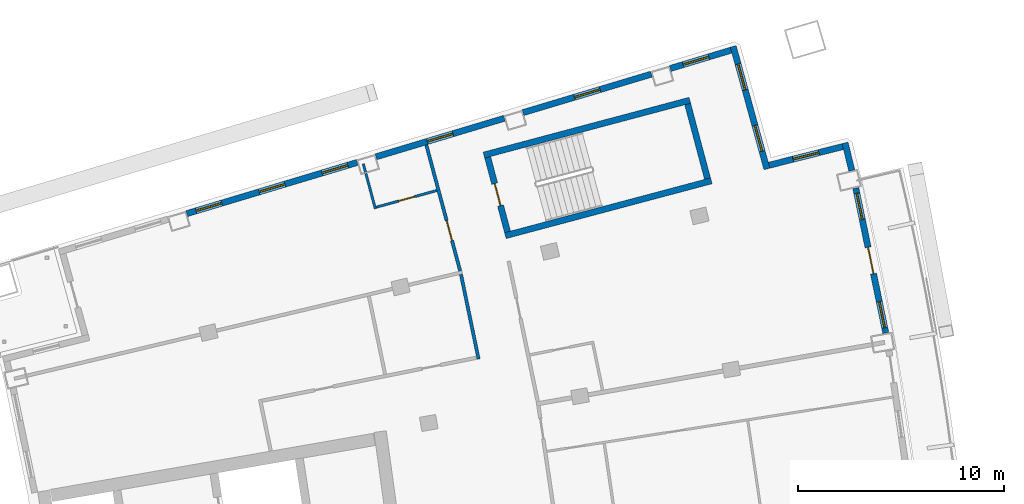
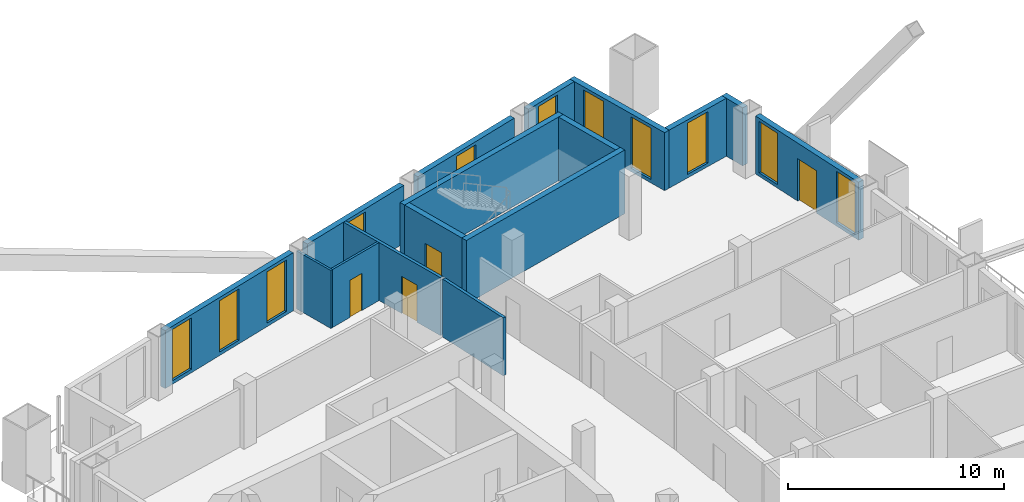
# One storey, part 15 of 19: 16 walls, 11 windows, 4 doors, 15 openings.
"""IFC4 building model written with IfcOpenShell, lengths in metres."""

from ifc_helpers import new_model, si_unit, direction, frame, frame_2d, origin, place, context, subcontext, project, spatial, rectangle, extrude, material, layer, layer_set, type_object, element, fill, save


model = new_model("IFC4")

# Units and contexts
model_context = context("Model", 3, precision=1e-05, world=origin(), true_north=direction((0.0, 1.0)))
body_context = subcontext(model_context, "Body", "Model", "MODEL_VIEW")
ifc_project = project(units=[si_unit("LENGTHUNIT", "METRE"), si_unit("AREAUNIT", "SQUARE_METRE"), si_unit("VOLUMEUNIT", "CUBIC_METRE"), si_unit("PLANEANGLEUNIT", "RADIAN"), si_unit("MASSUNIT", "GRAM", prefix="KILO")], contexts=[model_context])

# Site, building, storey
site_placement = place(None, origin())
site = spatial("IfcSite", under=ifc_project, at=site_placement, CompositionType="ELEMENT")
building_placement = place(site_placement, origin())
building = spatial("IfcBuilding", under=site, at=building_placement, Name="Alderwake Tower", CompositionType="ELEMENT")
storey_placement = place(building_placement, frame((0.0, 0.0, 200.0)))
storey = spatial("IfcBuildingStorey", under=building, at=storey_placement, Name="L49", CompositionType="ELEMENT", Elevation=200.0)

# Walls
ifc_material_1 = material(Name="Concrete C70/85", Category="concrete")
ifc_layer_1 = layer(ifc_material_1, 0.300048828125)
ifc_layer_set_1 = layer_set([ifc_layer_1], Name="Core wall stair enclosure 300 C70-85")
wall_type_1 = type_object("IfcWallType", Name="Core wall stair enclosure 300 C70-85", PredefinedType="SHEAR", material=ifc_layer_set_1)
for number, where, z_axis, x_axis, name in (
    (1, (36.71142578125, 94.182373046875, 0.0), (0.0, 0.0, 1.0), (0.966309214305, 0.257383958996, 0.0), "Core wall CW.082"),
    (2, (37.75390625, 90.268798828125, 0.0), (0.0, 0.0, 1.0), (0.966309214305, 0.257383958996, 0.0), "Core wall CW.084"),
):
    element("IfcWall", number, at=place(storey_placement, frame(where, z_axis=z_axis, x_axis=x_axis)), inside=storey, type_object=wall_type_1, Name=name, PredefinedType="SHEAR", context=body_context, shape_type="SweptSolid", body=[
        extrude(rectangle(XDim=10.360107421875, YDim=0.300048828125, at=frame_2d((5.18017578125, 0.0))), origin(), (0.0, 0.0, 1.0), 3.60009765625),
    ])

# Wall, opening, door
wall_1_placement = place(storey_placement, frame((37.8603515625, 90.452392578125, 0.0), z_axis=(0.0, 0.0, 1.0), x_axis=(-0.257411420208, 0.966301899381, 0.0)))
wall_1 = element("IfcWall", 3, at=wall_1_placement, inside=storey, type_object=wall_type_1, Name="Core wall CW.083", PredefinedType="SHEAR", context=body_context, shape_type="SweptSolid", body=[
    extrude(rectangle(XDim=3.750244140625, YDim=0.300048828125, at=frame_2d((1.875, 0.0))), origin(), (0.0, 0.0, 1.0), 3.60009765625),
])
opening_1_placement = place(wall_1_placement, frame((1.324951171875, 0.0, 0.0)))
opening_1 = element("IfcOpeningElement", 4, at=opening_1_placement, cuts=wall_1, Name="Opening C062", PredefinedType="OPENING", context=body_context, shape_type="SweptSolid", body=[
    extrude(rectangle(XDim=1.10009765625, YDim=2.10009765625, at=frame_2d((0.550048828125, 1.050048828125))), frame((0.0, 0.159912109375, 0.0), z_axis=(0.0, -1.0, 0.0), x_axis=(1.0, 0.0, 0.0)), (0.0, 0.0, 1.0), 0.320068359375),
])
ifc_material_2 = material(Name="Steel-framed fire door leaf", Category="steel")
door_type_1 = type_object("IfcDoorType", Name="Core stair door 1100 fire-rated", OperationType="SINGLE_SWING_LEFT", PredefinedType="DOOR", material=ifc_material_2)
door_1_placement = place(opening_1_placement, origin())
door_1 = element("IfcDoor", 5, at=door_1_placement, inside=storey, type_object=door_type_1, Name="Stair door", OperationType="SINGLE_SWING_RIGHT", OverallHeight=2.10009765625, OverallWidth=1.10009765625, PredefinedType="DOOR", context=body_context, shape_type="SweptSolid", body=[
    extrude(rectangle(XDim=1.10009765625, YDim=2.10009765625, at=frame_2d((0.550048828125, 1.050048828125))), frame((0.0, 0.02490234375, 0.0), z_axis=(0.0, -1.0, 0.0), x_axis=(1.0, 0.0, 0.0)), (0.0, 0.0, 1.0), 0.050048828125),
])
fill(opening_1, door_1)

# Wall
wall_2_placement = place(storey_placement, frame((47.581298828125, 93.041748046875, 0.0), z_axis=(0.0, 0.0, 1.0), x_axis=(-0.257366821694, 0.966313778796, 0.0)))
element("IfcWall", 6, at=wall_2_placement, inside=storey, type_object=wall_type_1, Name="Core wall CW.081", PredefinedType="SHEAR", context=body_context, shape_type="SweptSolid", body=[
    extrude(rectangle(XDim=3.749755859375, YDim=0.300048828125, at=frame_2d((1.875, 0.0))), origin(), (0.0, 0.0, 1.0), 3.60009765625),
])

# Wall, opening, door
ifc_material_3 = material(Name="Gypsum board on metal studs, rated")
ifc_layer_2 = layer(ifc_material_3, 0.159912109375)
ifc_layer_set_2 = layer_set([ifc_layer_2], Name="Corridor wall 160")
wall_type_2 = type_object("IfcWallType", Name="Corridor wall 160", PredefinedType="PARTITIONING", material=ifc_layer_set_2)
wall_3_placement = place(storey_placement, frame((35.55908203125, 88.54736328125, 0.0), z_axis=(0.0, 0.0, 1.0), x_axis=(-0.259486497004, 0.965746735885, 0.0)))
wall_3 = element("IfcWall", 7, at=wall_3_placement, inside=storey, type_object=wall_type_2, Name="WL/L49/W15", PredefinedType="PARTITIONING", context=body_context, shape_type="SweptSolid", body=[
    extrude(rectangle(XDim=6.346923828125, YDim=0.159912109375, at=frame_2d((3.17333984375, 0.0))), origin(), (0.0, 0.0, 1.0), 3.280029296875),
])
opening_2_placement = place(wall_3_placement, frame((1.5380859375, 0.0, 0.0)))
opening_2 = element("IfcOpeningElement", 8, at=opening_2_placement, cuts=wall_3, Name="Opening R14-U10.1", PredefinedType="OPENING", context=body_context, shape_type="SweptSolid", body=[
    extrude(rectangle(XDim=1.0, YDim=2.10009765625, at=frame_2d((0.5, 1.050048828125))), frame((0.0, 0.08984375, 0.0), z_axis=(0.0, -1.0, 0.0), x_axis=(1.0, 0.0, 0.0)), (0.0, 0.0, 1.0), 0.179931640625),
])
ifc_material_4 = material(Name="Solid timber leaf in steel frame", Category="steel")
door_type_2 = type_object("IfcDoorType", Name="Flat entrance door 1000 fire-rated", OperationType="SINGLE_SWING_LEFT", PredefinedType="DOOR", material=ifc_material_4)
door_2_placement = place(opening_2_placement, origin())
door_2 = element("IfcDoor", 9, at=door_2_placement, inside=storey, type_object=door_type_2, Name="DR/L49/U10.1", OperationType="SINGLE_SWING_LEFT", OverallHeight=2.10009765625, OverallWidth=1.0, PredefinedType="DOOR", context=body_context, shape_type="SweptSolid", body=[
    extrude(rectangle(XDim=1.0, YDim=2.10009765625, at=frame_2d((0.5, 1.050048828125))), frame((0.0, 0.02490234375, 0.0), z_axis=(0.0, -1.0, 0.0), x_axis=(1.0, 0.0, 0.0)), (0.0, 0.0, 1.0), 0.050048828125),
])
fill(opening_2, door_2)

# Wall
wall_4_placement = place(storey_placement, frame((35.59619140625, 88.3916015625, 0.0), z_axis=(0.0, 0.0, 1.0), x_axis=(0.20329833965, -0.979116839348, 0.0)))
element("IfcWall", 10, at=wall_4_placement, inside=storey, type_object=wall_type_2, Name="WL/L49/W17", PredefinedType="PARTITIONING", context=body_context, shape_type="SweptSolid", body=[
    extrude(rectangle(XDim=4.206787109375, YDim=0.159912109375, at=frame_2d((2.103515625, 0.0))), origin(), (0.0, 0.0, 1.0), 3.280029296875),
])

# Wall, openings, door, windows
ifc_material_5 = material(Name="Precast concrete C50/60 spandrel panel", Category="concrete")
ifc_layer_3 = layer(ifc_material_5, 0.300048828125)
ifc_layer_set_3 = layer_set([ifc_layer_3], Name="External wall EW1 Precast concrete C50/60 spandrel")
wall_type_3 = type_object("IfcWallType", Name="External wall EW1 Precast concrete C50/60 spandrel", PredefinedType="SOLIDWALL", material=ifc_layer_set_3)
wall_5_placement = place(storey_placement, frame((56.24462890625, 85.543212890625, 0.0), z_axis=(0.0, 0.0, 1.0), x_axis=(-0.202741640608, 0.979232264156, 0.0)))
wall_5 = element("IfcWall", 11, at=wall_5_placement, inside=storey, type_object=wall_type_3, Name="External wall 19", PredefinedType="SOLIDWALL", context=body_context, shape_type="SweptSolid", body=[
    extrude(rectangle(XDim=7.1806640625, YDim=0.300048828125, at=frame_2d((3.59033203125, 0.0))), origin(), (0.0, 0.0, 1.0), 3.280029296875),
])
opening_3_placement = place(wall_5_placement, frame((0.25341796875, 0.0, 0.199951171875)))
opening_3 = element("IfcOpeningElement", 12, at=opening_3_placement, cuts=wall_5, Name="Opening W1", PredefinedType="OPENING", context=body_context, shape_type="SweptSolid", body=[
    extrude(rectangle(XDim=1.300048828125, YDim=2.89990234375, at=frame_2d((0.64990234375, 1.449951171875))), frame((0.0, 0.159912109375, 0.0), z_axis=(0.0, -1.0, 0.0), x_axis=(1.0, 0.0, 0.0)), (0.0, 0.0, 1.0), 0.320068359375),
])
opening_4_placement = place(wall_5_placement, frame((2.940185546875, 0.0, 0.0)))
opening_4 = element("IfcOpeningElement", 13, at=opening_4_placement, cuts=wall_5, Name="Opening D09", PredefinedType="OPENING", context=body_context, shape_type="SweptSolid", body=[
    extrude(rectangle(XDim=1.300048828125, YDim=2.39990234375, at=frame_2d((0.64990234375, 1.199951171875))), frame((0.0, 0.159912109375, 0.0), z_axis=(0.0, -1.0, 0.0), x_axis=(1.0, 0.0, 0.0)), (0.0, 0.0, 1.0), 0.320068359375),
])
opening_5_placement = place(wall_5_placement, frame((5.627197265625, 0.0, 0.199951171875)))
opening_5 = element("IfcOpeningElement", 14, at=opening_5_placement, cuts=wall_5, Name="Opening W1", PredefinedType="OPENING", context=body_context, shape_type="SweptSolid", body=[
    extrude(rectangle(XDim=1.300048828125, YDim=2.89990234375, at=frame_2d((0.64990234375, 1.449951171875))), frame((0.0, 0.159912109375, 0.0), z_axis=(0.0, -1.0, 0.0), x_axis=(1.0, 0.0, 0.0)), (0.0, 0.0, 1.0), 0.320068359375),
])
ifc_material_6 = material(Name="Bronze tinted glass in aluminium frame", Category="aluminium")
door_type_3 = type_object("IfcDoorType", Name="Balcony door BD sliding", OperationType="SLIDING_TO_LEFT", PredefinedType="DOOR", material=ifc_material_6)
door_3_placement = place(opening_4_placement, origin())
door_3 = element("IfcDoor", 15, at=door_3_placement, inside=storey, type_object=door_type_3, Name="Door D09", OperationType="SLIDING_TO_LEFT", OverallHeight=2.39990234375, OverallWidth=1.300048828125, PredefinedType="DOOR", context=body_context, shape_type="SweptSolid", body=[
    extrude(rectangle(XDim=1.300048828125, YDim=2.39990234375, at=frame_2d((0.64990234375, 1.199951171875))), frame((0.0, 0.02490234375, 0.0), z_axis=(0.0, -1.0, 0.0), x_axis=(1.0, 0.0, 0.0)), (0.0, 0.0, 1.0), 0.050048828125),
])
fill(opening_4, door_3)
ifc_material_7 = material(Name="Bronze tinted glass in aluminium frame", Category="aluminium")
window_type = type_object("IfcWindowType", Name="Window W1 tall fixed and vent", PartitioningType="DOUBLE_PANEL_VERTICAL", PredefinedType="WINDOW", material=ifc_material_7)
window_1_placement = place(opening_3_placement, origin())
window_1 = element("IfcWindow", 16, at=window_1_placement, inside=storey, type_object=window_type, Name="Window W1 tall fixed and vent", OverallHeight=2.89990234375, OverallWidth=1.300048828125, PartitioningType="DOUBLE_PANEL_VERTICAL", PredefinedType="WINDOW", context=body_context, shape_type="SweptSolid", body=[
    extrude(rectangle(XDim=1.300048828125, YDim=2.89990234375, at=frame_2d((0.64990234375, 1.449951171875))), frame((0.0, 0.030029296875, 0.0), z_axis=(0.0, -1.0, 0.0), x_axis=(1.0, 0.0, 0.0)), (0.0, 0.0, 1.0), 0.06005859375),
])
fill(opening_3, window_1)
window_2_placement = place(opening_5_placement, origin())
window_2 = element("IfcWindow", 17, at=window_2_placement, inside=storey, type_object=window_type, Name="Window W1 tall fixed and vent", OverallHeight=2.89990234375, OverallWidth=1.300048828125, PartitioningType="DOUBLE_PANEL_VERTICAL", PredefinedType="WINDOW", context=body_context, shape_type="SweptSolid", body=[
    extrude(rectangle(XDim=1.300048828125, YDim=2.89990234375, at=frame_2d((0.64990234375, 1.449951171875))), frame((0.0, 0.030029296875, 0.0), z_axis=(0.0, -1.0, 0.0), x_axis=(1.0, 0.0, 0.0)), (0.0, 0.0, 1.0), 0.06005859375),
])
fill(opening_5, window_2)

# Wall
wall_6_placement = place(storey_placement, frame((54.595458984375, 93.430908203125, 0.0), z_axis=(0.0, 0.0, 1.0), x_axis=(-0.238271600543, 0.971198560736, 0.0)))
element("IfcWall", 18, at=wall_6_placement, inside=storey, type_object=wall_type_3, Name="External wall 20", PredefinedType="SOLIDWALL", context=body_context, shape_type="SweptSolid", body=[
    extrude(rectangle(XDim=1.388427734375, YDim=0.300048828125, at=frame_2d((0.6943359375, 0.0))), origin(), (0.0, 0.0, 1.0), 3.280029296875),
])

# Wall, opening, window
ifc_material_8 = material(Name="Bronze metal cladding on lightweight framing")
ifc_layer_4 = layer(ifc_material_8, 0.300048828125)
ifc_layer_set_4 = layer_set([ifc_layer_4], Name="External wall EW2 bronze metal cladding")
wall_type_4 = type_object("IfcWallType", Name="External wall EW2 bronze metal cladding", PredefinedType="SOLIDWALL", material=ifc_layer_set_4)
wall_7_placement = place(storey_placement, frame((54.155029296875, 94.5966796875, 0.0), z_axis=(0.0, 0.0, 1.0), x_axis=(-0.969426922046, -0.245380200529, 0.0)))
wall_7 = element("IfcWall", 19, at=wall_7_placement, inside=storey, type_object=wall_type_4, Name="External wall 21", PredefinedType="SOLIDWALL", context=body_context, shape_type="SweptSolid", body=[
    extrude(rectangle(XDim=3.6943359375, YDim=0.300048828125, at=frame_2d((1.84716796875, 0.0))), origin(), (0.0, 0.0, 1.0), 3.280029296875),
])
opening_6_placement = place(wall_7_placement, frame((1.197021484375, 0.0, 0.199951171875)))
opening_6 = element("IfcOpeningElement", 20, at=opening_6_placement, cuts=wall_7, Name="Opening W1", PredefinedType="OPENING", context=body_context, shape_type="SweptSolid", body=[
    extrude(rectangle(XDim=1.300048828125, YDim=2.89990234375, at=frame_2d((0.64990234375, 1.449951171875))), frame((0.0, 0.159912109375, 0.0), z_axis=(0.0, -1.0, 0.0), x_axis=(1.0, 0.0, 0.0)), (0.0, 0.0, 1.0), 0.320068359375),
])
window_3_placement = place(opening_6_placement, origin())
window_3 = element("IfcWindow", 21, at=window_3_placement, inside=storey, type_object=window_type, Name="Window W1 tall fixed and vent", OverallHeight=2.89990234375, OverallWidth=1.300048828125, PartitioningType="DOUBLE_PANEL_VERTICAL", PredefinedType="WINDOW", context=body_context, shape_type="SweptSolid", body=[
    extrude(rectangle(XDim=1.300048828125, YDim=2.89990234375, at=frame_2d((0.64990234375, 1.449951171875))), frame((0.0, 0.030029296875, 0.0), z_axis=(0.0, -1.0, 0.0), x_axis=(1.0, 0.0, 0.0)), (0.0, 0.0, 1.0), 0.06005859375),
])
fill(opening_6, window_3)

# Wall, openings, windows
wall_8_placement = place(storey_placement, frame((50.468017578125, 93.5087890625, 0.0), z_axis=(0.0, 0.0, 1.0), x_axis=(-0.265078459532, 0.964226845868, 0.0)))
wall_8 = element("IfcWall", 22, at=wall_8_placement, inside=storey, type_object=wall_type_4, Name="External wall 22", PredefinedType="SOLIDWALL", context=body_context, shape_type="SweptSolid", body=[
    extrude(rectangle(XDim=6.181884765625, YDim=0.300048828125, at=frame_2d((3.0908203125, 0.0))), origin(), (0.0, 0.0, 1.0), 3.280029296875),
])
opening_7_placement = place(wall_8_placement, frame((0.8955078125, 0.0, 0.199951171875)))
opening_7 = element("IfcOpeningElement", 23, at=opening_7_placement, cuts=wall_8, Name="Opening W1", PredefinedType="OPENING", context=body_context, shape_type="SweptSolid", body=[
    extrude(rectangle(XDim=1.300048828125, YDim=2.89990234375, at=frame_2d((0.64990234375, 1.449951171875))), frame((0.0, 0.159912109375, 0.0), z_axis=(0.0, -1.0, 0.0), x_axis=(1.0, 0.0, 0.0)), (0.0, 0.0, 1.0), 0.320068359375),
])
opening_8_placement = place(wall_8_placement, frame((3.986328125, 0.0, 0.199951171875)))
opening_8 = element("IfcOpeningElement", 24, at=opening_8_placement, cuts=wall_8, Name="Opening W1", PredefinedType="OPENING", context=body_context, shape_type="SweptSolid", body=[
    extrude(rectangle(XDim=1.300048828125, YDim=2.89990234375, at=frame_2d((0.64990234375, 1.449951171875))), frame((0.0, 0.159912109375, 0.0), z_axis=(0.0, -1.0, 0.0), x_axis=(1.0, 0.0, 0.0)), (0.0, 0.0, 1.0), 0.320068359375),
])
window_4_placement = place(opening_7_placement, origin())
window_4 = element("IfcWindow", 25, at=window_4_placement, inside=storey, type_object=window_type, Name="Window W1 tall fixed and vent", OverallHeight=2.89990234375, OverallWidth=1.300048828125, PartitioningType="DOUBLE_PANEL_VERTICAL", PredefinedType="WINDOW", context=body_context, shape_type="SweptSolid", body=[
    extrude(rectangle(XDim=1.300048828125, YDim=2.89990234375, at=frame_2d((0.64990234375, 1.449951171875))), frame((0.0, 0.030029296875, 0.0), z_axis=(0.0, -1.0, 0.0), x_axis=(1.0, 0.0, 0.0)), (0.0, 0.0, 1.0), 0.06005859375),
])
fill(opening_7, window_4)
window_5_placement = place(opening_8_placement, origin())
window_5 = element("IfcWindow", 26, at=window_5_placement, inside=storey, type_object=window_type, Name="Window W1 tall fixed and vent", OverallHeight=2.89990234375, OverallWidth=1.300048828125, PartitioningType="DOUBLE_PANEL_VERTICAL", PredefinedType="WINDOW", context=body_context, shape_type="SweptSolid", body=[
    extrude(rectangle(XDim=1.300048828125, YDim=2.89990234375, at=frame_2d((0.64990234375, 1.449951171875))), frame((0.0, 0.030029296875, 0.0), z_axis=(0.0, -1.0, 0.0), x_axis=(1.0, 0.0, 0.0)), (0.0, 0.0, 1.0), 0.06005859375),
])
fill(opening_8, window_5)

# Wall, opening, window
wall_9_placement = place(storey_placement, frame((48.725341796875, 99.28173828125, 0.0), z_axis=(0.0, 0.0, 1.0), x_axis=(-0.957765334649, -0.287550975906, 0.0)))
wall_9 = element("IfcWall", 27, at=wall_9_placement, inside=storey, type_object=wall_type_4, Name="External wall 23", PredefinedType="SOLIDWALL", context=body_context, shape_type="SweptSolid", body=[
    extrude(rectangle(XDim=3.087890625, YDim=0.300048828125, at=frame_2d((1.5439453125, 0.0))), origin(), (0.0, 0.0, 1.0), 3.280029296875),
])
opening_9_placement = place(wall_9_placement, frame((1.13232421875, 0.0, 0.199951171875)))
opening_9 = element("IfcOpeningElement", 28, at=opening_9_placement, cuts=wall_9, Name="Opening W1", PredefinedType="OPENING", context=body_context, shape_type="SweptSolid", body=[
    extrude(rectangle(XDim=1.300048828125, YDim=2.89990234375, at=frame_2d((0.64990234375, 1.449951171875))), frame((0.0, 0.159912109375, 0.0), z_axis=(0.0, -1.0, 0.0), x_axis=(1.0, 0.0, 0.0)), (0.0, 0.0, 1.0), 0.320068359375),
])
window_6_placement = place(opening_9_placement, origin())
window_6 = element("IfcWindow", 29, at=window_6_placement, inside=storey, type_object=window_type, Name="Window W1 tall fixed and vent", OverallHeight=2.89990234375, OverallWidth=1.300048828125, PartitioningType="DOUBLE_PANEL_VERTICAL", PredefinedType="WINDOW", context=body_context, shape_type="SweptSolid", body=[
    extrude(rectangle(XDim=1.300048828125, YDim=2.89990234375, at=frame_2d((0.64990234375, 1.449951171875))), frame((0.0, 0.030029296875, 0.0), z_axis=(0.0, -1.0, 0.0), x_axis=(1.0, 0.0, 0.0)), (0.0, 0.0, 1.0), 0.06005859375),
])
fill(opening_9, window_6)

wall_10_placement = place(storey_placement, frame((44.8544921875, 98.119384765625, 0.0), z_axis=(0.0, 0.0, 1.0), x_axis=(-0.957764359699, -0.287554223219, 0.0)))
wall_10 = element("IfcWall", 30, at=wall_10_placement, inside=storey, type_object=wall_type_4, Name="External wall 24", PredefinedType="SOLIDWALL", context=body_context, shape_type="SweptSolid", body=[
    extrude(rectangle(XDim=6.512939453125, YDim=0.300048828125, at=frame_2d((3.25634765625, 0.0))), origin(), (0.0, 0.0, 1.0), 3.280029296875),
])
opening_10_placement = place(wall_10_placement, frame((2.606689453125, 0.0, 0.199951171875)))
opening_10 = element("IfcOpeningElement", 31, at=opening_10_placement, cuts=wall_10, Name="Opening W1", PredefinedType="OPENING", context=body_context, shape_type="SweptSolid", body=[
    extrude(rectangle(XDim=1.300048828125, YDim=2.89990234375, at=frame_2d((0.64990234375, 1.449951171875))), frame((0.0, 0.159912109375, 0.0), z_axis=(0.0, -1.0, 0.0), x_axis=(1.0, 0.0, 0.0)), (0.0, 0.0, 1.0), 0.320068359375),
])
window_7_placement = place(opening_10_placement, origin())
window_7 = element("IfcWindow", 32, at=window_7_placement, inside=storey, type_object=window_type, Name="Window W1 tall fixed and vent", OverallHeight=2.89990234375, OverallWidth=1.300048828125, PartitioningType="DOUBLE_PANEL_VERTICAL", PredefinedType="WINDOW", context=body_context, shape_type="SweptSolid", body=[
    extrude(rectangle(XDim=1.300048828125, YDim=2.89990234375, at=frame_2d((0.64990234375, 1.449951171875))), frame((0.0, 0.030029296875, 0.0), z_axis=(0.0, -1.0, 0.0), x_axis=(1.0, 0.0, 0.0)), (0.0, 0.0, 1.0), 0.06005859375),
])
fill(opening_10, window_7)

wall_11_placement = place(storey_placement, frame((37.703125, 95.972412109375, 0.0), z_axis=(0.0, 0.0, 1.0), x_axis=(-0.957767459143, -0.287543899616, 0.0)))
wall_11 = element("IfcWall", 33, at=wall_11_placement, inside=storey, type_object=wall_type_4, Name="External wall 25", PredefinedType="SOLIDWALL", context=body_context, shape_type="SweptSolid", body=[
    extrude(rectangle(XDim=6.51318359375, YDim=0.300048828125, at=frame_2d((3.256591796875, 0.0))), origin(), (0.0, 0.0, 1.0), 3.280029296875),
])
opening_11_placement = place(wall_11_placement, frame((2.606689453125, 0.0, 0.199951171875)))
opening_11 = element("IfcOpeningElement", 34, at=opening_11_placement, cuts=wall_11, Name="Opening W1", PredefinedType="OPENING", context=body_context, shape_type="SweptSolid", body=[
    extrude(rectangle(XDim=1.300048828125, YDim=2.89990234375, at=frame_2d((0.64990234375, 1.449951171875))), frame((0.0, 0.159912109375, 0.0), z_axis=(0.0, -1.0, 0.0), x_axis=(1.0, 0.0, 0.0)), (0.0, 0.0, 1.0), 0.320068359375),
])
window_8_placement = place(opening_11_placement, origin())
window_8 = element("IfcWindow", 35, at=window_8_placement, inside=storey, type_object=window_type, Name="Window W1 tall fixed and vent", OverallHeight=2.89990234375, OverallWidth=1.300048828125, PartitioningType="DOUBLE_PANEL_VERTICAL", PredefinedType="WINDOW", context=body_context, shape_type="SweptSolid", body=[
    extrude(rectangle(XDim=1.300048828125, YDim=2.89990234375, at=frame_2d((0.64990234375, 1.449951171875))), frame((0.0, 0.030029296875, 0.0), z_axis=(0.0, -1.0, 0.0), x_axis=(1.0, 0.0, 0.0)), (0.0, 0.0, 1.0), 0.06005859375),
])
fill(opening_11, window_8)

# Wall, openings, windows
wall_12_placement = place(storey_placement, frame((30.551513671875, 93.825439453125, 0.0), z_axis=(0.0, 0.0, 1.0), x_axis=(-0.957759421932, -0.287570669054, 0.0)))
wall_12 = element("IfcWall", 36, at=wall_12_placement, inside=storey, type_object=wall_type_4, Name="External wall 26", PredefinedType="SOLIDWALL", context=body_context, shape_type="SweptSolid", body=[
    extrude(rectangle(XDim=8.64599609375, YDim=0.300048828125, at=frame_2d((4.322998046875, 0.0))), origin(), (0.0, 0.0, 1.0), 3.280029296875),
])
opening_12_placement = place(wall_12_placement, frame((0.47314453125, 0.0, 0.199951171875)))
opening_12 = element("IfcOpeningElement", 37, at=opening_12_placement, cuts=wall_12, Name="Opening W1", PredefinedType="OPENING", context=body_context, shape_type="SweptSolid", body=[
    extrude(rectangle(XDim=1.300048828125, YDim=2.89990234375, at=frame_2d((0.64990234375, 1.449951171875))), frame((0.0, 0.159912109375, 0.0), z_axis=(0.0, -1.0, 0.0), x_axis=(1.0, 0.0, 0.0)), (0.0, 0.0, 1.0), 0.320068359375),
])
opening_13_placement = place(wall_12_placement, frame((3.673095703125, 0.0, 0.199951171875)))
opening_13 = element("IfcOpeningElement", 38, at=opening_13_placement, cuts=wall_12, Name="Opening W1", PredefinedType="OPENING", context=body_context, shape_type="SweptSolid", body=[
    extrude(rectangle(XDim=1.300048828125, YDim=2.89990234375, at=frame_2d((0.64990234375, 1.449951171875))), frame((0.0, 0.159912109375, 0.0), z_axis=(0.0, -1.0, 0.0), x_axis=(1.0, 0.0, 0.0)), (0.0, 0.0, 1.0), 0.320068359375),
])
opening_14_placement = place(wall_12_placement, frame((6.873291015625, 0.0, 0.199951171875)))
opening_14 = element("IfcOpeningElement", 39, at=opening_14_placement, cuts=wall_12, Name="Opening W1", PredefinedType="OPENING", context=body_context, shape_type="SweptSolid", body=[
    extrude(rectangle(XDim=1.300048828125, YDim=2.89990234375, at=frame_2d((0.64990234375, 1.449951171875))), frame((0.0, 0.159912109375, 0.0), z_axis=(0.0, -1.0, 0.0), x_axis=(1.0, 0.0, 0.0)), (0.0, 0.0, 1.0), 0.320068359375),
])
window_9_placement = place(opening_12_placement, origin())
window_9 = element("IfcWindow", 40, at=window_9_placement, inside=storey, type_object=window_type, Name="Window W1 tall fixed and vent", OverallHeight=2.89990234375, OverallWidth=1.300048828125, PartitioningType="DOUBLE_PANEL_VERTICAL", PredefinedType="WINDOW", context=body_context, shape_type="SweptSolid", body=[
    extrude(rectangle(XDim=1.300048828125, YDim=2.89990234375, at=frame_2d((0.64990234375, 1.449951171875))), frame((0.0, 0.030029296875, 0.0), z_axis=(0.0, -1.0, 0.0), x_axis=(1.0, 0.0, 0.0)), (0.0, 0.0, 1.0), 0.06005859375),
])
fill(opening_12, window_9)
window_10_placement = place(opening_13_placement, origin())
window_10 = element("IfcWindow", 41, at=window_10_placement, inside=storey, type_object=window_type, Name="Window W1 tall fixed and vent", OverallHeight=2.89990234375, OverallWidth=1.300048828125, PartitioningType="DOUBLE_PANEL_VERTICAL", PredefinedType="WINDOW", context=body_context, shape_type="SweptSolid", body=[
    extrude(rectangle(XDim=1.300048828125, YDim=2.89990234375, at=frame_2d((0.64990234375, 1.449951171875))), frame((0.0, 0.030029296875, 0.0), z_axis=(0.0, -1.0, 0.0), x_axis=(1.0, 0.0, 0.0)), (0.0, 0.0, 1.0), 0.06005859375),
])
fill(opening_13, window_10)
window_11_placement = place(opening_14_placement, origin())
window_11 = element("IfcWindow", 42, at=window_11_placement, inside=storey, type_object=window_type, Name="Window W1 tall fixed and vent", OverallHeight=2.89990234375, OverallWidth=1.300048828125, PartitioningType="DOUBLE_PANEL_VERTICAL", PredefinedType="WINDOW", context=body_context, shape_type="SweptSolid", body=[
    extrude(rectangle(XDim=1.300048828125, YDim=2.89990234375, at=frame_2d((0.64990234375, 1.449951171875))), frame((0.0, 0.030029296875, 0.0), z_axis=(0.0, -1.0, 0.0), x_axis=(1.0, 0.0, 0.0)), (0.0, 0.0, 1.0), 0.06005859375),
])
fill(opening_14, window_11)

# Wall
ifc_material_9 = material(Name="Moisture resistant gypsum board on metal studs")
ifc_layer_5 = layer(ifc_material_9, 0.1201171875)
ifc_layer_set_5 = layer_set([ifc_layer_5], Name="Wet room partition 120")
wall_type_5 = type_object("IfcWallType", Name="Wet room partition 120", PredefinedType="PARTITIONING", material=ifc_layer_set_5)
wall_13_placement = place(storey_placement, frame((30.84912109375, 93.759033203125, 0.0), z_axis=(0.0, 0.0, 1.0), x_axis=(0.259155613864, -0.965835580108, 0.0)))
element("IfcWall", 43, at=wall_13_placement, inside=storey, type_object=wall_type_5, Name="WL/L49/W28", PredefinedType="PARTITIONING", context=body_context, shape_type="SweptSolid", body=[
    extrude(rectangle(XDim=2.259033203125, YDim=0.1201171875, at=frame_2d((1.12939453125, 0.0))), origin(), (0.0, 0.0, 1.0), 3.280029296875),
])

# Wall, opening, door
wall_14_placement = place(storey_placement, frame((31.476806640625, 91.65087890625, 0.0), z_axis=(0.0, 0.0, 1.0), x_axis=(0.964118102321, 0.265473698843, 0.0)))
wall_14 = element("IfcWall", 44, at=wall_14_placement, inside=storey, type_object=wall_type_5, Name="WL/L49/W30", PredefinedType="PARTITIONING", context=body_context, shape_type="SweptSolid", body=[
    extrude(rectangle(XDim=3.058837890625, YDim=0.1201171875, at=frame_2d((1.529296875, 0.0))), origin(), (0.0, 0.0, 1.0), 3.280029296875),
])
opening_15_placement = place(wall_14_placement, frame((1.12939453125, 0.0, 0.0)))
opening_15 = element("IfcOpeningElement", 45, at=opening_15_placement, cuts=wall_14, Name="Opening R14-U10.2", PredefinedType="OPENING", context=body_context, shape_type="SweptSolid", body=[
    extrude(rectangle(XDim=0.800048828125, YDim=2.10009765625, at=frame_2d((0.39990234375, 1.050048828125))), frame((0.0, 0.070068359375, 0.0), z_axis=(0.0, -1.0, 0.0), x_axis=(1.0, 0.0, 0.0)), (0.0, 0.0, 1.0), 0.14013671875),
])
ifc_material_10 = material(Name="Painted timber leaf", Category="wood")
door_type_4 = type_object("IfcDoorType", Name="Bathroom door 800", OperationType="SINGLE_SWING_LEFT", PredefinedType="DOOR", material=ifc_material_10)
door_4_placement = place(opening_15_placement, origin())
door_4 = element("IfcDoor", 46, at=door_4_placement, inside=storey, type_object=door_type_4, Name="DR/L49/U10.2", OperationType="SINGLE_SWING_LEFT", OverallHeight=2.10009765625, OverallWidth=0.800048828125, PredefinedType="DOOR", context=body_context, shape_type="SweptSolid", body=[
    extrude(rectangle(XDim=0.800048828125, YDim=2.10009765625, at=frame_2d((0.39990234375, 1.050048828125))), frame((0.0, 0.02490234375, 0.0), z_axis=(0.0, -1.0, 0.0), x_axis=(1.0, 0.0, 0.0)), (0.0, 0.0, 1.0), 0.050048828125),
])
fill(opening_15, door_4)

save(model, "model.ifc")
